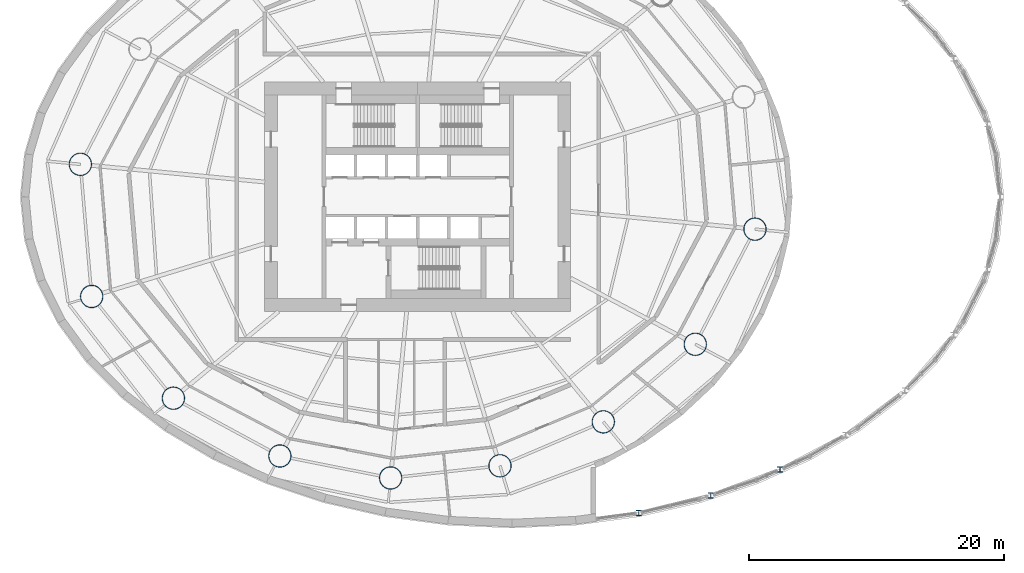
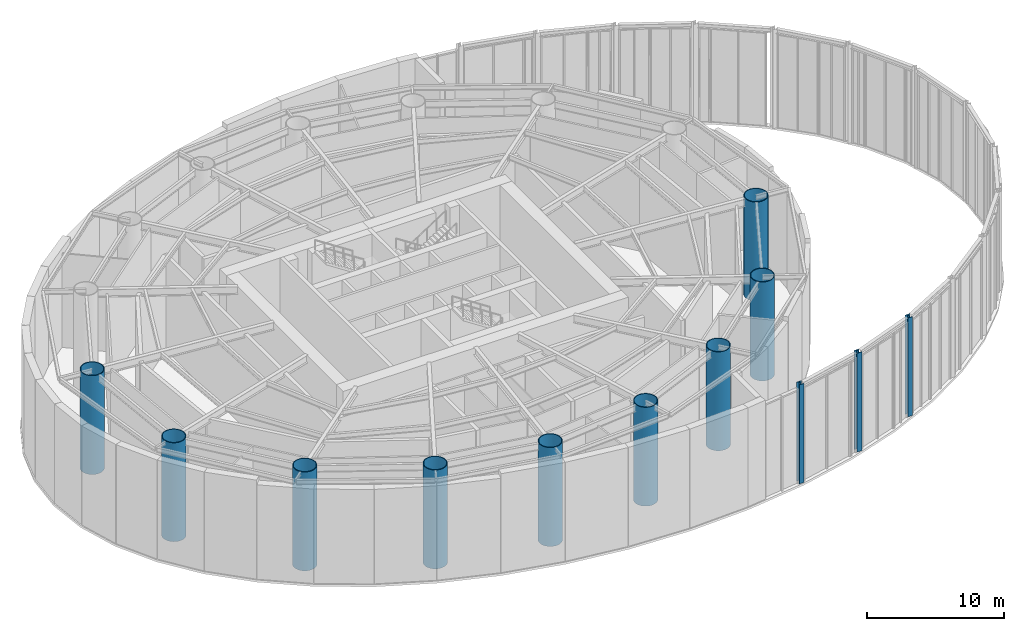
# One storey, part 1 of 19: 12 columns.
"""IFC4 building model written with IfcOpenShell, lengths in metres."""

from ifc_helpers import new_model, si_unit, direction, frame, origin, origin_2d, place, context, subcontext, project, spatial, hollow_circle, i_section, extrude, material, material_profile, profile_set, type_object, element, save


model = new_model("IFC4")

# Units and contexts
model_context = context("Model", 3, precision=1e-05, world=origin(), true_north=direction((0.0, 1.0)))
body_context = subcontext(model_context, "Body", "Model", "MODEL_VIEW")
ifc_project = project(units=[si_unit("LENGTHUNIT", "METRE"), si_unit("AREAUNIT", "SQUARE_METRE"), si_unit("VOLUMEUNIT", "CUBIC_METRE"), si_unit("PLANEANGLEUNIT", "RADIAN"), si_unit("MASSUNIT", "GRAM", prefix="KILO")], contexts=[model_context])

# Site, building, storey
site_placement = place(None, origin())
site = spatial("IfcSite", under=ifc_project, at=site_placement, CompositionType="ELEMENT")
building_placement = place(site_placement, origin())
building = spatial("IfcBuilding", under=site, at=building_placement, Name="Vermilion Reach Broadcast Tower", CompositionType="ELEMENT")
storey_placement = place(building_placement, frame((0.0, 0.0, 8.0)))
storey = spatial("IfcBuildingStorey", under=building, at=storey_placement, Name="L01", CompositionType="ELEMENT", Elevation=8.0)

# Columns
ifc_material_1 = material(Name="Steel S460NL", Category="steel")
ifc_material_profile_1 = material_profile(ifc_material_1, i_section(OverallWidth=0.406982421875, OverallDepth=0.427978515625, WebThickness=0.02001953125, FlangeThickness=0.034912109375, at=origin_2d()), Name="S460NL HW 428x407x20x35")
ifc_profile_set_1 = profile_set([ifc_material_profile_1], Name="Steel S460NL")
column_type_1 = type_object("IfcColumnType", Name="AP HW 428x407x20x35", PredefinedType="COLUMN", material=ifc_profile_set_1)
for number, where, z_axis, x_axis, name in (
    (1, (11.337158203125, -24.81884765625, 0.0), (0.0, 0.0, 1.0), (1.0, 0.0, 0.0), "Atrium post AP01"),
    (2, (16.984619140625, -23.43505859375, 0.0), (0.0, 0.0, 1.0), (1.0, 0.0, 0.0), "Atrium post AP02"),
    (3, (22.43115234375, -21.408935546875, 0.0), (0.0, 0.0, 1.0), (1.0, 0.0, 0.0), "Atrium post AP03"),
):
    element("IfcColumn", number, at=place(storey_placement, frame(where, z_axis=z_axis, x_axis=x_axis)), inside=storey, type_object=column_type_1, Name=name, PredefinedType="COLUMN", context=body_context, shape_type="SweptSolid", body=[
        extrude(i_section(OverallWidth=0.406982421875, OverallDepth=0.427978515625, WebThickness=0.02001953125, FlangeThickness=0.034912109375, at=origin_2d()), origin(), (0.0, 0.0, 1.0), 8.800048828125),
    ])
ifc_material_2 = material(Name="Concrete C80 infill in steel S460NL tube", Category="concrete")
ifc_material_profile_2 = material_profile(ifc_material_2, hollow_circle(Radius=0.89990234375, WallThickness=0.06005859375, at=origin_2d()), Name="Concrete C80 infill in steel S460NL tube CFT 1800x60")
ifc_profile_set_2 = profile_set([ifc_material_profile_2], Name="Concrete C80 infill in steel S460NL tube")
column_type_2 = type_object("IfcColumnType", Name="MC1 CFT 1800x60", PredefinedType="COLUMN", material=ifc_profile_set_2)
for number, where, z_axis, x_axis, name in (
    (4, (-32.464111328125, 2.54345703125, 0.0), (0.0, 0.0, 1.0), (1.0, 0.0, 0.0), "Mega-column MC1-08"),
    (5, (-31.575439453125, -7.823974609375, 0.0), (0.0, 0.0, 1.0), (1.0, 0.0, 0.0), "Mega-column MC1-09"),
    (6, (-25.166259765625, -15.804931640625, 0.0), (0.0, 0.0, 1.0), (1.0, 0.0, 0.0), "Mega-column MC1-10"),
    (7, (-16.809814453125, -20.3388671875, 0.0), (0.0, 0.0, 1.0), (1.0, 0.0, 0.0), "Mega-column MC1-11"),
    (8, (-8.12060546875, -22.06396484375, 0.0), (0.0, 0.0, 1.0), (1.0, 0.0, 0.0), "Mega-column MC1-12"),
    (9, (0.45751953125, -21.108154296875, 0.0), (0.0, 0.0, 1.0), (1.0, 0.0, 0.0), "Mega-column MC1-13"),
    (10, (8.563232421875, -17.660400390625, 0.0), (0.0, 0.0, 1.0), (1.0, 0.0, 0.0), "Mega-column MC1-14"),
    (11, (15.77978515625, -11.57568359375, 0.0), (0.0, 0.0, 1.0), (1.0, 0.0, 0.0), "Mega-column MC1-15"),
    (12, (20.464111328125, -2.54345703125, 0.0), (0.0, 0.0, 1.0), (1.0, 0.0, 0.0), "Mega-column MC1-16"),
):
    element("IfcColumn", number, at=place(storey_placement, frame(where, z_axis=z_axis, x_axis=x_axis)), inside=storey, type_object=column_type_2, Name=name, PredefinedType="COLUMN", context=body_context, shape_type="SweptSolid", body=[
        extrude(hollow_circle(Radius=0.89990234375, WallThickness=0.06005859375, at=origin_2d()), origin(), (0.0, 0.0, 1.0), 8.800048828125),
    ])

save(model, "model.ifc")
